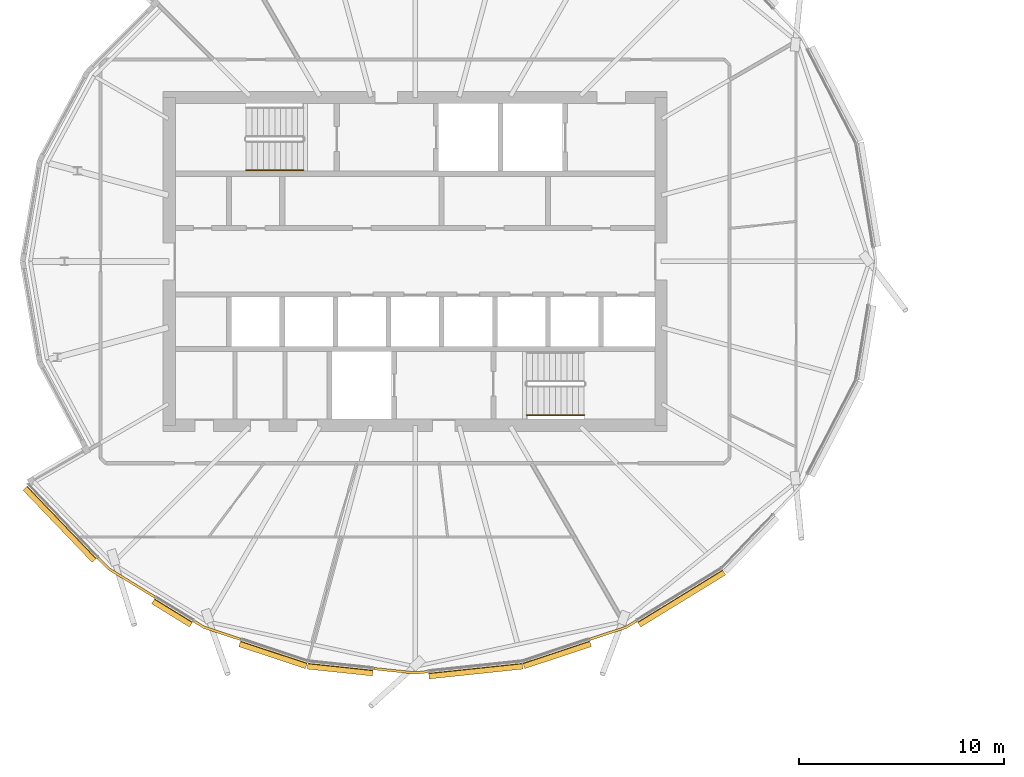
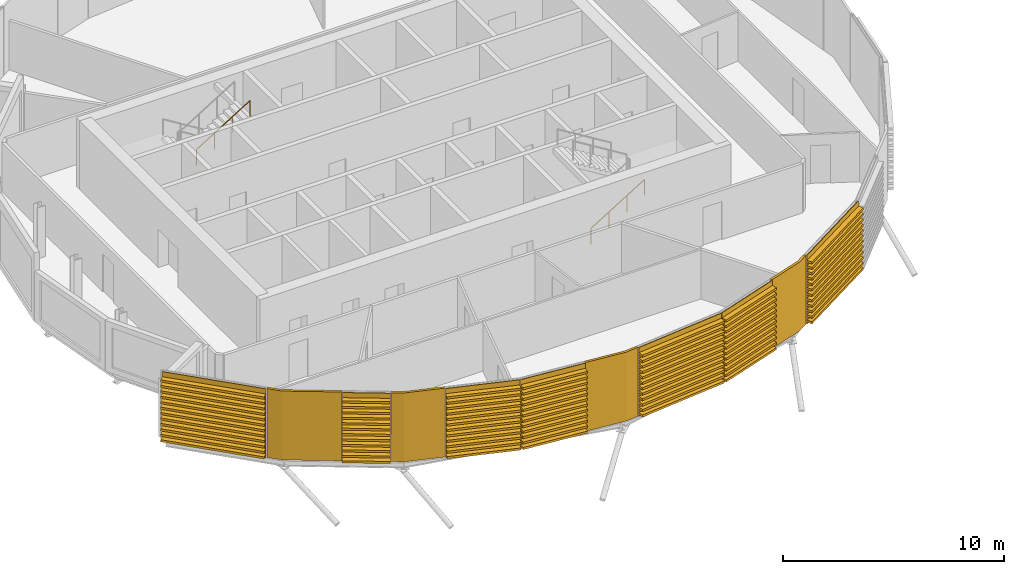
# One storey, part 32 of 37: 11 coverings, 2 railings.
"""IFC4 building model written with IfcOpenShell, lengths in metres."""

from ifc_helpers import new_model, si_unit, direction, frame, origin, origin_2d, place, context, subcontext, project, spatial, polyline, circle, outline, extrude, material, layer, layer_set, material_profile, profile_set, type_object, element, save


model = new_model("IFC4")

# Units and contexts
model_context = context("Model", 3, precision=1e-05, world=origin(), true_north=direction((0.0, 1.0)))
body_context = subcontext(model_context, "Body", "Model", "MODEL_VIEW")
ifc_project = project(units=[si_unit("LENGTHUNIT", "METRE"), si_unit("AREAUNIT", "SQUARE_METRE"), si_unit("VOLUMEUNIT", "CUBIC_METRE"), si_unit("PLANEANGLEUNIT", "RADIAN"), si_unit("MASSUNIT", "GRAM", prefix="KILO")], contexts=[model_context])

# Site, building, storey
site_placement = place(None, origin())
site = spatial("IfcSite", under=ifc_project, at=site_placement, CompositionType="ELEMENT")
building_placement = place(site_placement, origin())
building = spatial("IfcBuilding", under=site, at=building_placement, Name="Rimbun Link Towers", CompositionType="ELEMENT")
storey_placement = place(building_placement, frame((0.0, 0.0, 166.5)))
storey = spatial("IfcBuildingStorey", under=building, at=storey_placement, Name="L40", CompositionType="ELEMENT", Elevation=166.5)

# Coverings
ifc_material_1 = material(Name="Terracotta", Category="masonry")
ifc_layer = layer(ifc_material_1, 0.1201171875)
ifc_layer_set = layer_set([ifc_layer], Name="LINK PIER terracotta cladding 120")
covering_type_1 = type_object("IfcCoveringType", Name="LINK PIER terracotta cladding 120", PredefinedType="CLADDING", material=ifc_layer_set)
covering_1_placement = place(storey_placement, origin())
element("IfcCovering", 1, at=covering_1_placement, inside=storey, type_object=covering_type_1, Name="LINK PIER cladding", PredefinedType="CLADDING", context=body_context, shape_type="SweptSolid", body=[
    extrude(outline(polyline([(-44.41748046875, -16.33984375), (-46.692626953125, -14.942626953125), (-47.19091796875, -14.4228515625), (-47.277587890625, -14.506103515625), (-46.7685546875, -15.036865234375), (-44.480224609375, -16.442138671875), (-44.41748046875, -16.33984375)])), origin(), (0.0, 0.0, 1.0), 3.800048828125),
])
covering_2_placement = place(storey_placement, origin())
element("IfcCovering", 2, at=covering_2_placement, inside=storey, type_object=covering_type_1, Name="LINK PIER cladding", PredefinedType="CLADDING", context=body_context, shape_type="SweptSolid", body=[
    extrude(outline(polyline([(-40.255126953125, -18.393798828125), (-42.030029296875, -17.8056640625), (-42.515869140625, -17.50732421875), (-42.57861328125, -17.609619140625), (-42.0810546875, -17.9150390625), (-40.292724609375, -18.5078125), (-40.255126953125, -18.393798828125)])), origin(), (0.0, 0.0, 1.0), 3.800048828125),
])
covering_3_placement = place(storey_placement, origin())
element("IfcCovering", 3, at=covering_3_placement, inside=storey, type_object=covering_type_1, Name="LINK PIER cladding", PredefinedType="CLADDING", context=body_context, shape_type="SweptSolid", body=[
    extrude(outline(polyline([(-31.13330078125, -19.967041015625), (-31.75, -20.031982421875), (-33.7587890625, -19.820556640625), (-33.771484375, -19.93994140625), (-31.75, -20.15283203125), (-31.120849609375, -20.08642578125), (-31.13330078125, -19.967041015625)])), origin(), (0.0, 0.0, 1.0), 3.800048828125),
])
covering_4_placement = place(storey_placement, origin())
element("IfcCovering", 4, at=covering_4_placement, inside=storey, type_object=covering_type_1, Name="LINK PIER cladding", PredefinedType="CLADDING", context=body_context, shape_type="SweptSolid", body=[
    extrude(outline(polyline([(-20.984130859375, -17.50732421875), (-21.469970703125, -17.8056640625), (-23.244873046875, -18.393798828125), (-23.207275390625, -18.5078125), (-21.4189453125, -17.9150390625), (-20.92138671875, -17.609619140625), (-20.984130859375, -17.50732421875)])), origin(), (0.0, 0.0, 1.0), 3.800048828125),
])

# Railings
ifc_material_2 = material(Name="Stainless steel grade 316", Category="steel")
railing_type = type_object("IfcRailingType", Name="Stair handrail", PredefinedType="HANDRAIL", material=ifc_material_2)
for number, where, name in (
    (5, (-40.0, 4.449951171875, 2.07275390625), "L40 ST1 stair handrail 2"),
    (6, (-26.300048828125, -7.5, 0.172607421875), "L40 ST2 stair handrail 1"),
):
    element("IfcRailing", number, at=place(storey_placement, frame(where)), inside=storey, type_object=railing_type, Name=name, PredefinedType="HANDRAIL", context=body_context, shape_type="SweptSolid", body=[
        extrude(circle(Radius=0.02392578125, at=origin_2d()), frame((0.0, 0.0, 0.8759765625), z_axis=(0.851089632645, 0.0, 0.525020415988), x_axis=(0.0, 1.0, 0.0)), (0.0, 0.0, 1.0), 3.2900390625),
        extrude(circle(Radius=0.02099609375, at=origin_2d()), origin(), (0.0, 0.0, 1.0), 0.851806640625),
        extrude(circle(Radius=0.02099609375, at=origin_2d()), frame((0.933349609375, 0.0, 0.57568359375)), (0.0, 0.0, 1.0), 0.851806640625),
        extrude(circle(Radius=0.02099609375, at=origin_2d()), frame((1.86669921875, 0.0, 1.151611328125)), (0.0, 0.0, 1.0), 0.851806640625),
        extrude(circle(Radius=0.02099609375, at=origin_2d()), frame((2.800048828125, 0.0, 1.727294921875)), (0.0, 0.0, 1.0), 0.851806640625),
    ])

# Coverings
ifc_material_3 = material(Name="Terracotta", Category="masonry")
ifc_material_profile = material_profile(ifc_material_3, outline(polyline([(0.123046875, 0.0), (0.1630859375, 0.0), (0.1630859375, 0.10009765625), (0.423095703125, 0.10009765625), (0.423095703125, 0.219970703125), (0.1630859375, 0.219970703125), (0.1630859375, 0.39990234375), (0.423095703125, 0.39990234375), (0.423095703125, 0.52001953125), (0.1630859375, 0.52001953125), (0.1630859375, 0.699951171875), (0.423095703125, 0.699951171875), (0.423095703125, 0.820068359375), (0.1630859375, 0.820068359375), (0.1630859375, 1.0), (0.423095703125, 1.0), (0.423095703125, 1.1201171875), (0.1630859375, 1.1201171875), (0.1630859375, 1.300048828125), (0.423095703125, 1.300048828125), (0.423095703125, 1.419921875), (0.1630859375, 1.419921875), (0.1630859375, 1.60009765625), (0.423095703125, 1.60009765625), (0.423095703125, 1.719970703125), (0.1630859375, 1.719970703125), (0.1630859375, 1.89990234375), (0.423095703125, 1.89990234375), (0.423095703125, 2.02001953125), (0.1630859375, 2.02001953125), (0.1630859375, 2.199951171875), (0.423095703125, 2.199951171875), (0.423095703125, 2.320068359375), (0.1630859375, 2.320068359375), (0.1630859375, 2.5), (0.423095703125, 2.5), (0.423095703125, 2.6201171875), (0.1630859375, 2.6201171875), (0.1630859375, 2.800048828125), (0.423095703125, 2.800048828125), (0.423095703125, 2.919921875), (0.1630859375, 2.919921875), (0.1630859375, 3.10009765625), (0.423095703125, 3.10009765625), (0.423095703125, 3.219970703125), (0.1630859375, 3.219970703125), (0.1630859375, 3.39990234375), (0.423095703125, 3.39990234375), (0.423095703125, 3.52001953125), (0.1630859375, 3.52001953125), (0.1630859375, 3.800048828125), (0.123046875, 3.800048828125), (0.123046875, 0.0)])), Name="BAGUETTE 120X300")
ifc_profile_set = profile_set([ifc_material_profile], Name="Terracotta")
covering_type_2 = type_object("IfcCoveringType", Name="TERRACOTTA BAGUETTE 120X300 H3800", PredefinedType="CLADDING", material=ifc_profile_set)
covering_5_placement = place(storey_placement, frame((-47.211669921875, -14.4013671875, 0.0), z_axis=(-0.692046556377, 0.721852868532, 0.0), x_axis=(-0.721852868532, -0.692046556377, 0.0)))
element("IfcCovering", 7, at=covering_5_placement, inside=storey, type_object=covering_type_2, Name="TERRACOTTA BAGUETTE", PredefinedType="CLADDING", context=body_context, shape_type="SweptSolid", body=[
    extrude(outline(polyline([(0.123046875, 0.0), (0.1630859375, 0.0), (0.1630859375, 0.10009765625), (0.423095703125, 0.10009765625), (0.423095703125, 0.219970703125), (0.1630859375, 0.219970703125), (0.1630859375, 0.39990234375), (0.423095703125, 0.39990234375), (0.423095703125, 0.52001953125), (0.1630859375, 0.52001953125), (0.1630859375, 0.699951171875), (0.423095703125, 0.699951171875), (0.423095703125, 0.820068359375), (0.1630859375, 0.820068359375), (0.1630859375, 1.0), (0.423095703125, 1.0), (0.423095703125, 1.1201171875), (0.1630859375, 1.1201171875), (0.1630859375, 1.300048828125), (0.423095703125, 1.300048828125), (0.423095703125, 1.419921875), (0.1630859375, 1.419921875), (0.1630859375, 1.60009765625), (0.423095703125, 1.60009765625), (0.423095703125, 1.719970703125), (0.1630859375, 1.719970703125), (0.1630859375, 1.89990234375), (0.423095703125, 1.89990234375), (0.423095703125, 2.02001953125), (0.1630859375, 2.02001953125), (0.1630859375, 2.199951171875), (0.423095703125, 2.199951171875), (0.423095703125, 2.320068359375), (0.1630859375, 2.320068359375), (0.1630859375, 2.5), (0.423095703125, 2.5), (0.423095703125, 2.6201171875), (0.1630859375, 2.6201171875), (0.1630859375, 2.800048828125), (0.423095703125, 2.800048828125), (0.423095703125, 2.919921875), (0.1630859375, 2.919921875), (0.1630859375, 3.10009765625), (0.423095703125, 3.10009765625), (0.423095703125, 3.219970703125), (0.1630859375, 3.219970703125), (0.1630859375, 3.39990234375), (0.423095703125, 3.39990234375), (0.423095703125, 3.52001953125), (0.1630859375, 3.52001953125), (0.1630859375, 3.800048828125), (0.123046875, 3.800048828125), (0.123046875, 0.0)])), origin(), (0.0, 0.0, 1.0), 4.8818359375),
])
covering_6_placement = place(storey_placement, frame((-42.54150390625, -17.49169921875, 0.0), z_axis=(-0.852159790822, 0.523281655427, 0.0), x_axis=(-0.523281655427, -0.852159790822, 0.0)))
element("IfcCovering", 8, at=covering_6_placement, inside=storey, type_object=covering_type_2, Name="TERRACOTTA BAGUETTE", PredefinedType="CLADDING", context=body_context, shape_type="SweptSolid", body=[
    extrude(outline(polyline([(0.123046875, 0.0), (0.1630859375, 0.0), (0.1630859375, 0.10009765625), (0.423095703125, 0.10009765625), (0.423095703125, 0.219970703125), (0.1630859375, 0.219970703125), (0.1630859375, 0.39990234375), (0.423095703125, 0.39990234375), (0.423095703125, 0.52001953125), (0.1630859375, 0.52001953125), (0.1630859375, 0.699951171875), (0.423095703125, 0.699951171875), (0.423095703125, 0.820068359375), (0.1630859375, 0.820068359375), (0.1630859375, 1.0), (0.423095703125, 1.0), (0.423095703125, 1.1201171875), (0.1630859375, 1.1201171875), (0.1630859375, 1.300048828125), (0.423095703125, 1.300048828125), (0.423095703125, 1.419921875), (0.1630859375, 1.419921875), (0.1630859375, 1.60009765625), (0.423095703125, 1.60009765625), (0.423095703125, 1.719970703125), (0.1630859375, 1.719970703125), (0.1630859375, 1.89990234375), (0.423095703125, 1.89990234375), (0.423095703125, 2.02001953125), (0.1630859375, 2.02001953125), (0.1630859375, 2.199951171875), (0.423095703125, 2.199951171875), (0.423095703125, 2.320068359375), (0.1630859375, 2.320068359375), (0.1630859375, 2.5), (0.423095703125, 2.5), (0.423095703125, 2.6201171875), (0.1630859375, 2.6201171875), (0.1630859375, 2.800048828125), (0.423095703125, 2.800048828125), (0.423095703125, 2.919921875), (0.1630859375, 2.919921875), (0.1630859375, 3.10009765625), (0.423095703125, 3.10009765625), (0.423095703125, 3.219970703125), (0.1630859375, 3.219970703125), (0.1630859375, 3.39990234375), (0.423095703125, 3.39990234375), (0.423095703125, 3.52001953125), (0.1630859375, 3.52001953125), (0.1630859375, 3.800048828125), (0.123046875, 3.800048828125), (0.123046875, 0.0)])), origin(), (0.0, 0.0, 1.0), 2.17138671875),
])
covering_7_placement = place(storey_placement, frame((-36.97021484375, -19.482421875, 0.0), z_axis=(-0.949236945708, 0.314561950819, 0.0), x_axis=(-0.314561950819, -0.949236945708, 0.0)))
element("IfcCovering", 9, at=covering_7_placement, inside=storey, type_object=covering_type_2, Name="TERRACOTTA BAGUETTE", PredefinedType="CLADDING", context=body_context, shape_type="SweptSolid", body=[
    extrude(outline(polyline([(0.123046875, 0.0), (0.1630859375, 0.0), (0.1630859375, 0.10009765625), (0.423095703125, 0.10009765625), (0.423095703125, 0.219970703125), (0.1630859375, 0.219970703125), (0.1630859375, 0.39990234375), (0.423095703125, 0.39990234375), (0.423095703125, 0.52001953125), (0.1630859375, 0.52001953125), (0.1630859375, 0.699951171875), (0.423095703125, 0.699951171875), (0.423095703125, 0.820068359375), (0.1630859375, 0.820068359375), (0.1630859375, 1.0), (0.423095703125, 1.0), (0.423095703125, 1.1201171875), (0.1630859375, 1.1201171875), (0.1630859375, 1.300048828125), (0.423095703125, 1.300048828125), (0.423095703125, 1.419921875), (0.1630859375, 1.419921875), (0.1630859375, 1.60009765625), (0.423095703125, 1.60009765625), (0.423095703125, 1.719970703125), (0.1630859375, 1.719970703125), (0.1630859375, 1.89990234375), (0.423095703125, 1.89990234375), (0.423095703125, 2.02001953125), (0.1630859375, 2.02001953125), (0.1630859375, 2.199951171875), (0.423095703125, 2.199951171875), (0.423095703125, 2.320068359375), (0.1630859375, 2.320068359375), (0.1630859375, 2.5), (0.423095703125, 2.5), (0.423095703125, 2.6201171875), (0.1630859375, 2.6201171875), (0.1630859375, 2.800048828125), (0.423095703125, 2.800048828125), (0.423095703125, 2.919921875), (0.1630859375, 2.919921875), (0.1630859375, 3.10009765625), (0.423095703125, 3.10009765625), (0.423095703125, 3.219970703125), (0.1630859375, 3.219970703125), (0.1630859375, 3.39990234375), (0.423095703125, 3.39990234375), (0.423095703125, 3.52001953125), (0.1630859375, 3.52001953125), (0.1630859375, 3.800048828125), (0.123046875, 3.800048828125), (0.123046875, 0.0)])), origin(), (0.0, 0.0, 1.0), 3.430419921875),
])
covering_8_placement = place(storey_placement, frame((-33.788818359375, -19.8173828125, 0.0), z_axis=(-0.994502943543, 0.104708620869, 0.0), x_axis=(-0.104708620869, -0.994502943543, 0.0)))
element("IfcCovering", 10, at=covering_8_placement, inside=storey, type_object=covering_type_2, Name="TERRACOTTA BAGUETTE", PredefinedType="CLADDING", context=body_context, shape_type="SweptSolid", body=[
    extrude(outline(polyline([(0.123046875, 0.0), (0.1630859375, 0.0), (0.1630859375, 0.10009765625), (0.423095703125, 0.10009765625), (0.423095703125, 0.219970703125), (0.1630859375, 0.219970703125), (0.1630859375, 0.39990234375), (0.423095703125, 0.39990234375), (0.423095703125, 0.52001953125), (0.1630859375, 0.52001953125), (0.1630859375, 0.699951171875), (0.423095703125, 0.699951171875), (0.423095703125, 0.820068359375), (0.1630859375, 0.820068359375), (0.1630859375, 1.0), (0.423095703125, 1.0), (0.423095703125, 1.1201171875), (0.1630859375, 1.1201171875), (0.1630859375, 1.300048828125), (0.423095703125, 1.300048828125), (0.423095703125, 1.419921875), (0.1630859375, 1.419921875), (0.1630859375, 1.60009765625), (0.423095703125, 1.60009765625), (0.423095703125, 1.719970703125), (0.1630859375, 1.719970703125), (0.1630859375, 1.89990234375), (0.423095703125, 1.89990234375), (0.423095703125, 2.02001953125), (0.1630859375, 2.02001953125), (0.1630859375, 2.199951171875), (0.423095703125, 2.199951171875), (0.423095703125, 2.320068359375), (0.1630859375, 2.320068359375), (0.1630859375, 2.5), (0.423095703125, 2.5), (0.423095703125, 2.6201171875), (0.1630859375, 2.6201171875), (0.1630859375, 2.800048828125), (0.423095703125, 2.800048828125), (0.423095703125, 2.919921875), (0.1630859375, 2.919921875), (0.1630859375, 3.10009765625), (0.423095703125, 3.10009765625), (0.423095703125, 3.219970703125), (0.1630859375, 3.219970703125), (0.1630859375, 3.39990234375), (0.423095703125, 3.39990234375), (0.423095703125, 3.52001953125), (0.1630859375, 3.52001953125), (0.1630859375, 3.800048828125), (0.123046875, 3.800048828125), (0.123046875, 0.0)])), origin(), (0.0, 0.0, 1.0), 3.198974609375),
])
covering_9_placement = place(storey_placement, frame((-26.52978515625, -19.482421875, 0.0), z_axis=(-0.994499924847, -0.104737287911, 0.0), x_axis=(0.104737287911, -0.994499924847, 0.0)))
element("IfcCovering", 11, at=covering_9_placement, inside=storey, type_object=covering_type_2, Name="TERRACOTTA BAGUETTE", PredefinedType="CLADDING", context=body_context, shape_type="SweptSolid", body=[
    extrude(outline(polyline([(0.123046875, 0.0), (0.1630859375, 0.0), (0.1630859375, 0.10009765625), (0.423095703125, 0.10009765625), (0.423095703125, 0.219970703125), (0.1630859375, 0.219970703125), (0.1630859375, 0.39990234375), (0.423095703125, 0.39990234375), (0.423095703125, 0.52001953125), (0.1630859375, 0.52001953125), (0.1630859375, 0.699951171875), (0.423095703125, 0.699951171875), (0.423095703125, 0.820068359375), (0.1630859375, 0.820068359375), (0.1630859375, 1.0), (0.423095703125, 1.0), (0.423095703125, 1.1201171875), (0.1630859375, 1.1201171875), (0.1630859375, 1.300048828125), (0.423095703125, 1.300048828125), (0.423095703125, 1.419921875), (0.1630859375, 1.419921875), (0.1630859375, 1.60009765625), (0.423095703125, 1.60009765625), (0.423095703125, 1.719970703125), (0.1630859375, 1.719970703125), (0.1630859375, 1.89990234375), (0.423095703125, 1.89990234375), (0.423095703125, 2.02001953125), (0.1630859375, 2.02001953125), (0.1630859375, 2.199951171875), (0.423095703125, 2.199951171875), (0.423095703125, 2.320068359375), (0.1630859375, 2.320068359375), (0.1630859375, 2.5), (0.423095703125, 2.5), (0.423095703125, 2.6201171875), (0.1630859375, 2.6201171875), (0.1630859375, 2.800048828125), (0.423095703125, 2.800048828125), (0.423095703125, 2.919921875), (0.1630859375, 2.919921875), (0.1630859375, 3.10009765625), (0.423095703125, 3.10009765625), (0.423095703125, 3.219970703125), (0.1630859375, 3.219970703125), (0.1630859375, 3.39990234375), (0.423095703125, 3.39990234375), (0.423095703125, 3.52001953125), (0.1630859375, 3.52001953125), (0.1630859375, 3.800048828125), (0.123046875, 3.800048828125), (0.123046875, 0.0)])), origin(), (0.0, 0.0, 1.0), 4.59912109375),
])
covering_10_placement = place(storey_placement, frame((-23.2734375, -18.4033203125, 0.0), z_axis=(-0.949236945708, -0.314561950819, 0.0), x_axis=(0.314561950819, -0.949236945708, 0.0)))
element("IfcCovering", 12, at=covering_10_placement, inside=storey, type_object=covering_type_2, Name="TERRACOTTA BAGUETTE", PredefinedType="CLADDING", context=body_context, shape_type="SweptSolid", body=[
    extrude(outline(polyline([(0.123046875, 0.0), (0.1630859375, 0.0), (0.1630859375, 0.10009765625), (0.423095703125, 0.10009765625), (0.423095703125, 0.219970703125), (0.1630859375, 0.219970703125), (0.1630859375, 0.39990234375), (0.423095703125, 0.39990234375), (0.423095703125, 0.52001953125), (0.1630859375, 0.52001953125), (0.1630859375, 0.699951171875), (0.423095703125, 0.699951171875), (0.423095703125, 0.820068359375), (0.1630859375, 0.820068359375), (0.1630859375, 1.0), (0.423095703125, 1.0), (0.423095703125, 1.1201171875), (0.1630859375, 1.1201171875), (0.1630859375, 1.300048828125), (0.423095703125, 1.300048828125), (0.423095703125, 1.419921875), (0.1630859375, 1.419921875), (0.1630859375, 1.60009765625), (0.423095703125, 1.60009765625), (0.423095703125, 1.719970703125), (0.1630859375, 1.719970703125), (0.1630859375, 1.89990234375), (0.423095703125, 1.89990234375), (0.423095703125, 2.02001953125), (0.1630859375, 2.02001953125), (0.1630859375, 2.199951171875), (0.423095703125, 2.199951171875), (0.423095703125, 2.320068359375), (0.1630859375, 2.320068359375), (0.1630859375, 2.5), (0.423095703125, 2.5), (0.423095703125, 2.6201171875), (0.1630859375, 2.6201171875), (0.1630859375, 2.800048828125), (0.423095703125, 2.800048828125), (0.423095703125, 2.919921875), (0.1630859375, 2.919921875), (0.1630859375, 3.10009765625), (0.423095703125, 3.10009765625), (0.423095703125, 3.219970703125), (0.1630859375, 3.219970703125), (0.1630859375, 3.39990234375), (0.423095703125, 3.39990234375), (0.423095703125, 3.52001953125), (0.1630859375, 3.52001953125), (0.1630859375, 3.800048828125), (0.123046875, 3.800048828125), (0.123046875, 0.0)])), origin(), (0.0, 0.0, 1.0), 3.430419921875),
])
covering_11_placement = place(storey_placement, frame((-16.807373046875, -14.942626953125, 0.0), z_axis=(-0.852158679137, -0.523283465792, 0.0), x_axis=(0.523283465792, -0.852158679137, 0.0)))
element("IfcCovering", 13, at=covering_11_placement, inside=storey, type_object=covering_type_2, Name="TERRACOTTA BAGUETTE", PredefinedType="CLADDING", context=body_context, shape_type="SweptSolid", body=[
    extrude(outline(polyline([(0.123046875, 0.0), (0.1630859375, 0.0), (0.1630859375, 0.10009765625), (0.423095703125, 0.10009765625), (0.423095703125, 0.219970703125), (0.1630859375, 0.219970703125), (0.1630859375, 0.39990234375), (0.423095703125, 0.39990234375), (0.423095703125, 0.52001953125), (0.1630859375, 0.52001953125), (0.1630859375, 0.699951171875), (0.423095703125, 0.699951171875), (0.423095703125, 0.820068359375), (0.1630859375, 0.820068359375), (0.1630859375, 1.0), (0.423095703125, 1.0), (0.423095703125, 1.1201171875), (0.1630859375, 1.1201171875), (0.1630859375, 1.300048828125), (0.423095703125, 1.300048828125), (0.423095703125, 1.419921875), (0.1630859375, 1.419921875), (0.1630859375, 1.60009765625), (0.423095703125, 1.60009765625), (0.423095703125, 1.719970703125), (0.1630859375, 1.719970703125), (0.1630859375, 1.89990234375), (0.423095703125, 1.89990234375), (0.423095703125, 2.02001953125), (0.1630859375, 2.02001953125), (0.1630859375, 2.199951171875), (0.423095703125, 2.199951171875), (0.423095703125, 2.320068359375), (0.1630859375, 2.320068359375), (0.1630859375, 2.5), (0.423095703125, 2.5), (0.423095703125, 2.6201171875), (0.1630859375, 2.6201171875), (0.1630859375, 2.800048828125), (0.423095703125, 2.800048828125), (0.423095703125, 2.919921875), (0.1630859375, 2.919921875), (0.1630859375, 3.10009765625), (0.423095703125, 3.10009765625), (0.423095703125, 3.219970703125), (0.1630859375, 3.219970703125), (0.1630859375, 3.39990234375), (0.423095703125, 3.39990234375), (0.423095703125, 3.52001953125), (0.1630859375, 3.52001953125), (0.1630859375, 3.800048828125), (0.123046875, 3.800048828125), (0.123046875, 0.0)])), origin(), (0.0, 0.0, 1.0), 4.871337890625),
])

save(model, "model.ifc")
